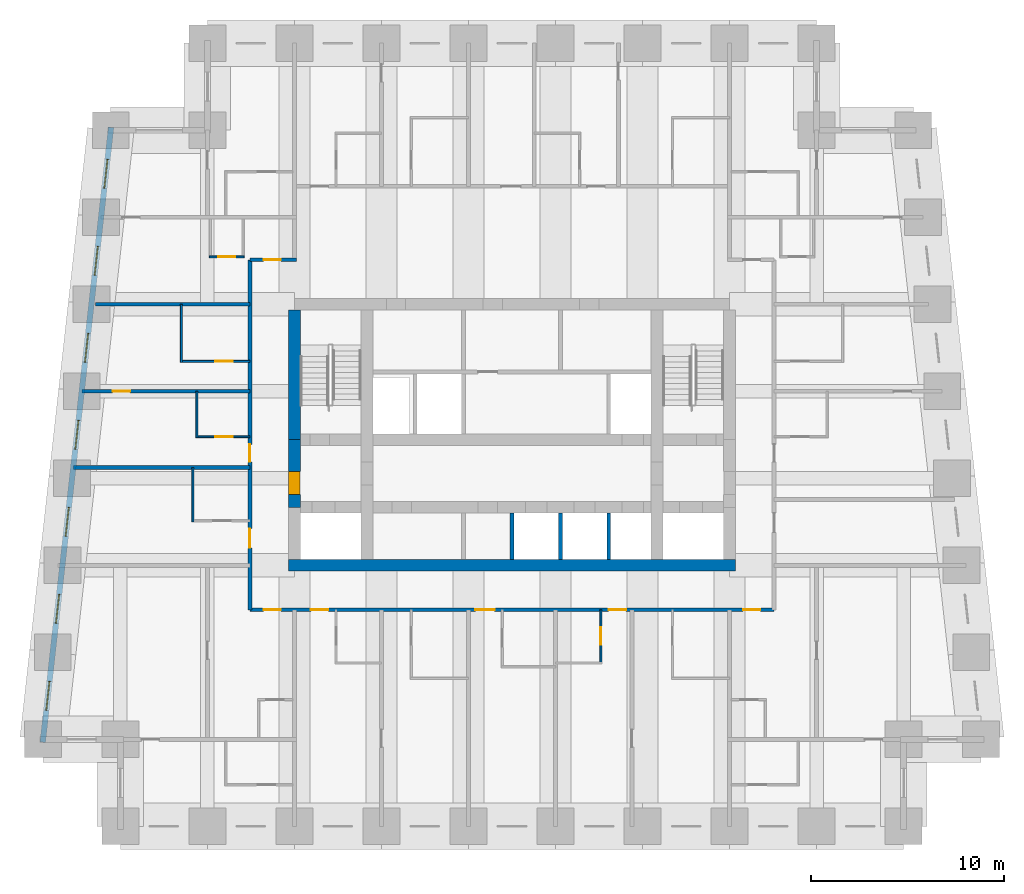
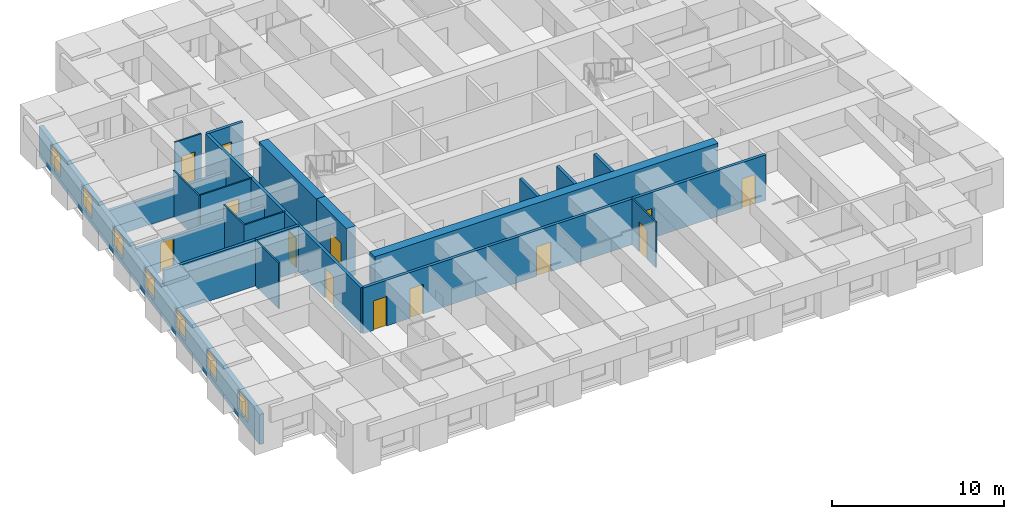
# One storey, part 3 of 8: 20 walls, 14 doors, 7 windows, 21 openings.
"""IFC4 building model written with IfcOpenShell, lengths in metres."""

from ifc_helpers import new_model, si_unit, direction, frame, frame_2d, origin, place, context, subcontext, project, spatial, rectangle, extrude, material, layer, layer_set, type_object, element, fill, save


model = new_model("IFC4")

# Units and contexts
model_context = context("Model", 3, precision=1e-05, world=origin(), true_north=direction((0.0, 1.0)))
body_context = subcontext(model_context, "Body", "Model", "MODEL_VIEW")
ifc_project = project(units=[si_unit("LENGTHUNIT", "METRE"), si_unit("AREAUNIT", "SQUARE_METRE"), si_unit("VOLUMEUNIT", "CUBIC_METRE"), si_unit("PLANEANGLEUNIT", "RADIAN"), si_unit("MASSUNIT", "GRAM", prefix="KILO")], contexts=[model_context])

# Site, building, storey
site_placement = place(None, origin())
site = spatial("IfcSite", under=ifc_project, at=site_placement, CompositionType="ELEMENT")
building_placement = place(site_placement, origin())
building = spatial("IfcBuilding", under=site, at=building_placement, Name="Kilele Tower Hotel", CompositionType="ELEMENT")
storey_placement = place(building_placement, frame((0.0, 0.0, 138.89990234375)))
storey = spatial("IfcBuildingStorey", under=building, at=storey_placement, Name="L36", CompositionType="ELEMENT", Elevation=138.89990234375)

# Wall, opening, door
ifc_material_1 = material(Name="Moisture-resistant board")
ifc_layer_1 = layer(ifc_material_1, 0.10009765625)
ifc_layer_set_1 = layer_set([ifc_layer_1], Name="Moisture-resistant board")
wall_type_1 = type_object("IfcWallType", Name="Bathroom partition 100", PredefinedType="PLUMBINGWALL", material=ifc_layer_set_1)
wall_1_placement = place(storey_placement, frame((29.35009765625, 11.199951171875, 0.0), z_axis=(0.0, 0.0, 1.0), x_axis=(0.0, -1.0, 0.0)))
wall_1 = element("IfcWall", 1, at=wall_1_placement, inside=storey, type_object=wall_type_1, Name="Bathroom partition 100 L36", PredefinedType="PLUMBINGWALL", context=body_context, shape_type="SweptSolid", body=[
    extrude(rectangle(XDim=2.800048828125, YDim=0.10009765625, at=frame_2d((1.39990234375, 0.0))), origin(), (0.0, 0.0, 1.0), 3.25),
])
opening_1_placement = place(wall_1_placement, frame((0.89990234375, 0.0, 0.0)))
opening_1 = element("IfcOpeningElement", 2, at=opening_1_placement, cuts=wall_1, Name="Opening D2A", PredefinedType="OPENING", context=body_context, shape_type="SweptSolid", body=[
    extrude(rectangle(XDim=0.89990234375, YDim=2.10009765625, at=frame_2d((0.449951171875, 1.050048828125))), frame((0.0, 0.06005859375, 0.0), z_axis=(0.0, -1.0, 0.0), x_axis=(1.0, 0.0, 0.0)), (0.0, 0.0, 1.0), 0.1201171875),
])
ifc_material_2 = material(Name="Timber door leaf in hardwood frame", Category="wood")
door_type_1 = type_object("IfcDoorType", Name="Bathroom door 900", OperationType="SINGLE_SWING_LEFT", PredefinedType="DOOR", material=ifc_material_2)
door_1_placement = place(opening_1_placement, origin())
door_1 = element("IfcDoor", 3, at=door_1_placement, inside=storey, type_object=door_type_1, Name="Bathroom door 3604B", OperationType="SINGLE_SWING_LEFT", OverallHeight=2.10009765625, OverallWidth=0.89990234375, PredefinedType="DOOR", context=body_context, shape_type="SweptSolid", body=[
    extrude(rectangle(XDim=0.89990234375, YDim=2.10009765625, at=frame_2d((0.449951171875, 1.050048828125))), frame((0.0, 0.02490234375, 0.0), z_axis=(0.0, -1.0, 0.0), x_axis=(1.0, 0.0, 0.0)), (0.0, 0.0, 1.0), 0.050048828125),
])
fill(opening_1, door_1)

# Walls
wall_2_placement = place(storey_placement, frame((8.25, 15.75, 0.0), z_axis=(0.0, 0.0, 1.0), x_axis=(0.0, 1.0, 0.0)))
element("IfcWall", 4, at=wall_2_placement, inside=storey, type_object=wall_type_1, Name="Bathroom partition 100 L36", PredefinedType="PLUMBINGWALL", context=body_context, shape_type="SweptSolid", body=[
    extrude(rectangle(XDim=2.800048828125, YDim=0.10009765625, at=frame_2d((1.39990234375, 0.0))), origin(), (0.0, 0.0, 1.0), 3.25),
])
wall_3_placement = place(storey_placement, frame((8.449951171875, 20.10009765625, 0.0), z_axis=(0.0, 0.0, 1.0), x_axis=(0.0, 1.0, 0.0)))
element("IfcWall", 5, at=wall_3_placement, inside=storey, type_object=wall_type_1, Name="Bathroom partition 100 L36", PredefinedType="PLUMBINGWALL", context=body_context, shape_type="SweptSolid", body=[
    extrude(rectangle(XDim=2.39990234375, YDim=0.10009765625, at=frame_2d((1.199951171875, 0.0))), origin(), (0.0, 0.0, 1.0), 3.25),
])

# Wall, opening, door
wall_4_placement = place(storey_placement, frame((11.199951171875, 20.14990234375, 0.0), z_axis=(0.0, 0.0, 1.0), x_axis=(-1.0, 0.0, 0.0)))
wall_4 = element("IfcWall", 6, at=wall_4_placement, inside=storey, type_object=wall_type_1, Name="Bathroom partition 100 L36", PredefinedType="PLUMBINGWALL", context=body_context, shape_type="SweptSolid", body=[
    extrude(rectangle(XDim=2.800048828125, YDim=0.10009765625, at=frame_2d((1.39990234375, 0.0))), origin(), (0.0, 0.0, 1.0), 3.25),
])
opening_2_placement = place(wall_4_placement, frame((0.89990234375, 0.0, 0.0)))
opening_2 = element("IfcOpeningElement", 7, at=opening_2_placement, cuts=wall_4, Name="Opening D2A", PredefinedType="OPENING", context=body_context, shape_type="SweptSolid", body=[
    extrude(rectangle(XDim=0.89990234375, YDim=2.10009765625, at=frame_2d((0.449951171875, 1.050048828125))), frame((0.0, 0.06005859375, 0.0), z_axis=(0.0, -1.0, 0.0), x_axis=(1.0, 0.0, 0.0)), (0.0, 0.0, 1.0), 0.1201171875),
])
door_2_placement = place(opening_2_placement, origin())
door_2 = element("IfcDoor", 8, at=door_2_placement, inside=storey, type_object=door_type_1, Name="Bathroom door 3615B", OperationType="SINGLE_SWING_LEFT", OverallHeight=2.10009765625, OverallWidth=0.89990234375, PredefinedType="DOOR", context=body_context, shape_type="SweptSolid", body=[
    extrude(rectangle(XDim=0.89990234375, YDim=2.10009765625, at=frame_2d((0.449951171875, 1.050048828125))), frame((0.0, 0.02490234375, 0.0), z_axis=(0.0, -1.0, 0.0), x_axis=(1.0, 0.0, 0.0)), (0.0, 0.0, 1.0), 0.050048828125),
])
fill(opening_2, door_2)

# Wall
wall_5_placement = place(storey_placement, frame((7.64990234375, 24.0, 0.0), z_axis=(0.0, 0.0, 1.0), x_axis=(0.0, 1.0, 0.0)))
element("IfcWall", 9, at=wall_5_placement, inside=storey, type_object=wall_type_1, Name="Bathroom partition 100 L36", PredefinedType="PLUMBINGWALL", context=body_context, shape_type="SweptSolid", body=[
    extrude(rectangle(XDim=3.0, YDim=0.10009765625, at=frame_2d((1.5, 0.0))), origin(), (0.0, 0.0, 1.0), 3.25),
])

# Wall, opening, door
wall_6_placement = place(storey_placement, frame((11.199951171875, 24.050048828125, 0.0), z_axis=(0.0, 0.0, 1.0), x_axis=(-1.0, 0.0, 0.0)))
wall_6 = element("IfcWall", 10, at=wall_6_placement, inside=storey, type_object=wall_type_1, Name="Bathroom partition 100 L36", PredefinedType="PLUMBINGWALL", context=body_context, shape_type="SweptSolid", body=[
    extrude(rectangle(XDim=3.599853515625, YDim=0.10009765625, at=frame_2d((1.7998046875, 0.0))), origin(), (0.0, 0.0, 1.0), 3.25),
])
opening_3_placement = place(wall_6_placement, frame((0.89990234375, 0.0, 0.0)))
opening_3 = element("IfcOpeningElement", 11, at=opening_3_placement, cuts=wall_6, Name="Opening D2A", PredefinedType="OPENING", context=body_context, shape_type="SweptSolid", body=[
    extrude(rectangle(XDim=0.89990234375, YDim=2.10009765625, at=frame_2d((0.449951171875, 1.050048828125))), frame((0.0, 0.06005859375, 0.0), z_axis=(0.0, -1.0, 0.0), x_axis=(1.0, 0.0, 0.0)), (0.0, 0.0, 1.0), 0.1201171875),
])
door_3_placement = place(opening_3_placement, origin())
door_3 = element("IfcDoor", 12, at=door_3_placement, inside=storey, type_object=door_type_1, Name="Bathroom door 3616B", OperationType="SINGLE_SWING_LEFT", OverallHeight=2.10009765625, OverallWidth=0.89990234375, PredefinedType="DOOR", context=body_context, shape_type="SweptSolid", body=[
    extrude(rectangle(XDim=0.89990234375, YDim=2.10009765625, at=frame_2d((0.449951171875, 1.050048828125))), frame((0.0, 0.02490234375, 0.0), z_axis=(0.0, -1.0, 0.0), x_axis=(1.0, 0.0, 0.0)), (0.0, 0.0, 1.0), 0.050048828125),
])
fill(opening_3, door_3)

wall_7_placement = place(storey_placement, frame((10.89990234375, 29.449951171875, 0.0), z_axis=(0.0, 0.0, 1.0), x_axis=(-1.0, 0.0, 0.0)))
wall_7 = element("IfcWall", 13, at=wall_7_placement, inside=storey, type_object=wall_type_1, Name="Bathroom partition 100 L36", PredefinedType="PLUMBINGWALL", context=body_context, shape_type="SweptSolid", body=[
    extrude(rectangle(XDim=1.7998046875, YDim=0.10009765625, at=frame_2d((0.89990234375, 0.0))), origin(), (0.0, 0.0, 1.0), 3.25),
])
opening_4_placement = place(wall_7_placement, frame((0.449951171875, 0.0, 0.0)))
opening_4 = element("IfcOpeningElement", 14, at=opening_4_placement, cuts=wall_7, Name="Opening D2A", PredefinedType="OPENING", context=body_context, shape_type="SweptSolid", body=[
    extrude(rectangle(XDim=0.89990234375, YDim=2.10009765625, at=frame_2d((0.449951171875, 1.050048828125))), frame((0.0, 0.06005859375, 0.0), z_axis=(0.0, -1.0, 0.0), x_axis=(1.0, 0.0, 0.0)), (0.0, 0.0, 1.0), 0.1201171875),
])
door_4_placement = place(opening_4_placement, origin())
door_4 = element("IfcDoor", 15, at=door_4_placement, inside=storey, type_object=door_type_1, Name="Bathroom door 3626P", OperationType="SINGLE_SWING_LEFT", OverallHeight=2.10009765625, OverallWidth=0.89990234375, PredefinedType="DOOR", context=body_context, shape_type="SweptSolid", body=[
    extrude(rectangle(XDim=0.89990234375, YDim=2.10009765625, at=frame_2d((0.449951171875, 1.050048828125))), frame((0.0, 0.02490234375, 0.0), z_axis=(0.0, -1.0, 0.0), x_axis=(1.0, 0.0, 0.0)), (0.0, 0.0, 1.0), 0.050048828125),
])
fill(opening_4, door_4)

# Walls
ifc_material_3 = material(Name="Concrete C60/75", Category="concrete")
ifc_layer_2 = layer(ifc_material_3, 0.60009765625)
ifc_layer_set_2 = layer_set([ifc_layer_2], Name="Concrete C60/75")
wall_type_2 = type_object("IfcWallType", Name="Core wall 600 C60/75", PredefinedType="SHEAR", material=ifc_layer_set_2)
wall_8_placement = place(storey_placement, frame((13.199951171875, 13.5, 0.0), z_axis=(0.0, 0.0, 1.0), x_axis=(1.0, 0.0, 0.0)))
element("IfcWall", 16, at=wall_8_placement, inside=storey, type_object=wall_type_2, Name="Core wall S L36", PredefinedType="SHEAR", context=body_context, shape_type="SweptSolid", body=[
    extrude(rectangle(XDim=23.10009765625, YDim=0.60009765625, at=frame_2d((11.550048828125, 0.0))), origin(), (0.0, 0.0, 1.0), 3.5),
])
wall_9_placement = place(storey_placement, frame((13.5, 26.699951171875, 0.0), z_axis=(0.0, 0.0, 1.0), x_axis=(0.0, -1.0, 0.0)))
element("IfcWall", 17, at=wall_9_placement, inside=storey, type_object=wall_type_2, Name="Core wall W1 L36", PredefinedType="SHEAR", context=body_context, shape_type="SweptSolid", body=[
    extrude(rectangle(XDim=6.699951171875, YDim=0.60009765625, at=frame_2d((3.35009765625, 0.0))), origin(), (0.0, 0.0, 1.0), 3.5),
])

# Wall, opening, door
wall_10_placement = place(storey_placement, frame((13.5, 20.0, 0.0), z_axis=(0.0, 0.0, 1.0), x_axis=(0.0, -1.0, 0.0)))
wall_10 = element("IfcWall", 18, at=wall_10_placement, inside=storey, type_object=wall_type_2, Name="Core wall W2 L36", PredefinedType="SHEAR", context=body_context, shape_type="SweptSolid", body=[
    extrude(rectangle(XDim=3.5, YDim=0.60009765625, at=frame_2d((1.75, 0.0))), origin(), (0.0, 0.0, 1.0), 3.5),
])
opening_5_placement = place(wall_10_placement, frame((1.64990234375, 0.0, 0.0)))
opening_5 = element("IfcOpeningElement", 19, at=opening_5_placement, cuts=wall_10, Name="Opening D4", PredefinedType="OPENING", context=body_context, shape_type="SweptSolid", body=[
    extrude(rectangle(XDim=1.199951171875, YDim=2.10009765625, at=frame_2d((0.60009765625, 1.050048828125))), frame((0.0, 0.31005859375, 0.0), z_axis=(0.0, -1.0, 0.0), x_axis=(1.0, 0.0, 0.0)), (0.0, 0.0, 1.0), 0.6201171875),
])
ifc_material_4 = material(Name="Timber door leaf in hardwood frame", Category="wood")
door_type_2 = type_object("IfcDoorType", Name="Firefighting lobby door 1200", OperationType="SINGLE_SWING_LEFT", PredefinedType="DOOR", material=ifc_material_4)
door_5_placement = place(opening_5_placement, origin())
door_5 = element("IfcDoor", 20, at=door_5_placement, inside=storey, type_object=door_type_2, Name="Lobby door L36", OperationType="SINGLE_SWING_RIGHT", OverallHeight=2.10009765625, OverallWidth=1.199951171875, PredefinedType="DOOR", context=body_context, shape_type="SweptSolid", body=[
    extrude(rectangle(XDim=1.199951171875, YDim=2.10009765625, at=frame_2d((0.60009765625, 1.050048828125))), frame((0.0, 0.2998046875, 0.0), z_axis=(0.0, -1.0, 0.0), x_axis=(1.0, 0.0, 0.0)), (0.0, 0.0, 1.0), 0.599609375),
])
fill(opening_5, door_5)

# Wall, openings, doors
ifc_material_5 = material(Name="Blockwork, plastered both sides", Category="masonry")
ifc_layer_3 = layer(ifc_material_5, 0.199951171875)
ifc_layer_set_3 = layer_set([ifc_layer_3], Name="Blockwork, plastered both sides")
wall_type_3 = type_object("IfcWallType", Name="Corridor wall 200", PredefinedType="PARTITIONING", material=ifc_layer_set_3)
wall_11_placement = place(storey_placement, frame((11.199951171875, 11.199951171875, 0.0), z_axis=(0.0, 0.0, 1.0), x_axis=(1.0, 0.0, 0.0)))
wall_11 = element("IfcWall", 21, at=wall_11_placement, inside=storey, type_object=wall_type_3, Name="Corridor wall 200 L36", PredefinedType="PARTITIONING", context=body_context, shape_type="SweptSolid", body=[
    extrude(rectangle(XDim=27.10009765625, YDim=0.199951171875, at=frame_2d((13.550048828125, 0.0))), origin(), (0.0, 0.0, 1.0), 3.25),
])
opening_6_placement = place(wall_11_placement, frame((4.0498046875, 0.0, 0.0), z_axis=(0.0, 0.0, 1.0), x_axis=(-1.0, 0.0, 0.0)))
opening_6 = element("IfcOpeningElement", 22, at=opening_6_placement, cuts=wall_11, Name="Opening D1", PredefinedType="OPENING", context=body_context, shape_type="SweptSolid", body=[
    extrude(rectangle(XDim=0.89990234375, YDim=2.10009765625, at=frame_2d((0.449951171875, 1.050048828125))), frame((0.0, 0.10986328125, 0.0), z_axis=(0.0, -1.0, 0.0), x_axis=(1.0, 0.0, 0.0)), (0.0, 0.0, 1.0), 0.219970703125),
])
opening_7_placement = place(wall_11_placement, frame((12.64990234375, 0.0, 0.0), z_axis=(0.0, 0.0, 1.0), x_axis=(-1.0, 0.0, 0.0)))
opening_7 = element("IfcOpeningElement", 23, at=opening_7_placement, cuts=wall_11, Name="Opening D1A", PredefinedType="OPENING", context=body_context, shape_type="SweptSolid", body=[
    extrude(rectangle(XDim=1.0, YDim=2.10009765625, at=frame_2d((0.5, 1.050048828125))), frame((0.0, 0.10986328125, 0.0), z_axis=(0.0, -1.0, 0.0), x_axis=(1.0, 0.0, 0.0)), (0.0, 0.0, 1.0), 0.219970703125),
])
opening_8_placement = place(wall_11_placement, frame((19.449951171875, 0.0, 0.0), z_axis=(0.0, 0.0, 1.0), x_axis=(-1.0, 0.0, 0.0)))
opening_8 = element("IfcOpeningElement", 24, at=opening_8_placement, cuts=wall_11, Name="Opening D1", PredefinedType="OPENING", context=body_context, shape_type="SweptSolid", body=[
    extrude(rectangle(XDim=0.89990234375, YDim=2.10009765625, at=frame_2d((0.449951171875, 1.050048828125))), frame((0.0, 0.10986328125, 0.0), z_axis=(0.0, -1.0, 0.0), x_axis=(1.0, 0.0, 0.0)), (0.0, 0.0, 1.0), 0.219970703125),
])
opening_9_placement = place(wall_11_placement, frame((1.599853515625, 0.0, 0.0), z_axis=(0.0, 0.0, 1.0), x_axis=(-1.0, 0.0, 0.0)))
opening_9 = element("IfcOpeningElement", 25, at=opening_9_placement, cuts=wall_11, Name="Opening D1", PredefinedType="OPENING", context=body_context, shape_type="SweptSolid", body=[
    extrude(rectangle(XDim=0.89990234375, YDim=2.10009765625, at=frame_2d((0.449951171875, 1.050048828125))), frame((0.0, 0.10986328125, 0.0), z_axis=(0.0, -1.0, 0.0), x_axis=(1.0, 0.0, 0.0)), (0.0, 0.0, 1.0), 0.219970703125),
])
opening_10_placement = place(wall_11_placement, frame((26.39990234375, 0.0, 0.0), z_axis=(0.0, 0.0, 1.0), x_axis=(-1.0, 0.0, 0.0)))
opening_10 = element("IfcOpeningElement", 26, at=opening_10_placement, cuts=wall_11, Name="Opening D1", PredefinedType="OPENING", context=body_context, shape_type="SweptSolid", body=[
    extrude(rectangle(XDim=0.89990234375, YDim=2.10009765625, at=frame_2d((0.449951171875, 1.050048828125))), frame((0.0, 0.10986328125, 0.0), z_axis=(0.0, -1.0, 0.0), x_axis=(1.0, 0.0, 0.0)), (0.0, 0.0, 1.0), 0.219970703125),
])
ifc_material_6 = material(Name="Timber door leaf in hardwood frame", Category="wood")
door_type_3 = type_object("IfcDoorType", Name="Guest room entrance door 1000", OperationType="SINGLE_SWING_LEFT", PredefinedType="DOOR", material=ifc_material_6)
door_6_placement = place(opening_7_placement, origin())
door_6 = element("IfcDoor", 27, at=door_6_placement, inside=storey, type_object=door_type_3, Name="Room entrance 3603", OperationType="SINGLE_SWING_RIGHT", OverallHeight=2.10009765625, OverallWidth=1.0, PredefinedType="DOOR", context=body_context, shape_type="SweptSolid", body=[
    extrude(rectangle(XDim=1.0, YDim=2.10009765625, at=frame_2d((0.5, 1.050048828125))), frame((0.0, 0.02490234375, 0.0), z_axis=(0.0, -1.0, 0.0), x_axis=(1.0, 0.0, 0.0)), (0.0, 0.0, 1.0), 0.050048828125),
])
fill(opening_7, door_6)
ifc_material_7 = material(Name="Timber door leaf in hardwood frame", Category="wood")
door_type_4 = type_object("IfcDoorType", Name="Guest room entrance door 900", OperationType="SINGLE_SWING_LEFT", PredefinedType="DOOR", material=ifc_material_7)
door_7_placement = place(opening_6_placement, origin())
door_7 = element("IfcDoor", 28, at=door_7_placement, inside=storey, type_object=door_type_4, Name="Room entrance 3601", OperationType="SINGLE_SWING_LEFT", OverallHeight=2.10009765625, OverallWidth=0.89990234375, PredefinedType="DOOR", context=body_context, shape_type="SweptSolid", body=[
    extrude(rectangle(XDim=0.89990234375, YDim=2.10009765625, at=frame_2d((0.449951171875, 1.050048828125))), frame((0.0, 0.02490234375, 0.0), z_axis=(0.0, -1.0, 0.0), x_axis=(1.0, 0.0, 0.0)), (0.0, 0.0, 1.0), 0.050048828125),
])
fill(opening_6, door_7)
door_8_placement = place(opening_8_placement, origin())
door_8 = element("IfcDoor", 29, at=door_8_placement, inside=storey, type_object=door_type_4, Name="Room entrance 3604", OperationType="SINGLE_SWING_LEFT", OverallHeight=2.10009765625, OverallWidth=0.89990234375, PredefinedType="DOOR", context=body_context, shape_type="SweptSolid", body=[
    extrude(rectangle(XDim=0.89990234375, YDim=2.10009765625, at=frame_2d((0.449951171875, 1.050048828125))), frame((0.0, 0.02490234375, 0.0), z_axis=(0.0, -1.0, 0.0), x_axis=(1.0, 0.0, 0.0)), (0.0, 0.0, 1.0), 0.050048828125),
])
fill(opening_8, door_8)
door_9_placement = place(opening_9_placement, origin())
door_9 = element("IfcDoor", 30, at=door_9_placement, inside=storey, type_object=door_type_4, Name="Room entrance 3617", OperationType="SINGLE_SWING_LEFT", OverallHeight=2.10009765625, OverallWidth=0.89990234375, PredefinedType="DOOR", context=body_context, shape_type="SweptSolid", body=[
    extrude(rectangle(XDim=0.89990234375, YDim=2.10009765625, at=frame_2d((0.449951171875, 1.050048828125))), frame((0.0, 0.02490234375, 0.0), z_axis=(0.0, -1.0, 0.0), x_axis=(1.0, 0.0, 0.0)), (0.0, 0.0, 1.0), 0.050048828125),
])
fill(opening_9, door_9)
door_10_placement = place(opening_10_placement, origin())
door_10 = element("IfcDoor", 31, at=door_10_placement, inside=storey, type_object=door_type_4, Name="Room entrance 3620", OperationType="SINGLE_SWING_RIGHT", OverallHeight=2.10009765625, OverallWidth=0.89990234375, PredefinedType="DOOR", context=body_context, shape_type="SweptSolid", body=[
    extrude(rectangle(XDim=0.89990234375, YDim=2.10009765625, at=frame_2d((0.449951171875, 1.050048828125))), frame((0.0, 0.02490234375, 0.0), z_axis=(0.0, -1.0, 0.0), x_axis=(1.0, 0.0, 0.0)), (0.0, 0.0, 1.0), 0.050048828125),
])
fill(opening_10, door_10)

# Wall, opening, door
wall_12_placement = place(storey_placement, frame((11.199951171875, 29.300048828125, 0.0), z_axis=(0.0, 0.0, 1.0), x_axis=(1.0, 0.0, 0.0)))
wall_12 = element("IfcWall", 32, at=wall_12_placement, inside=storey, type_object=wall_type_3, Name="Corridor wall 200 L36", PredefinedType="PARTITIONING", context=body_context, shape_type="SweptSolid", body=[
    extrude(rectangle(XDim=2.400146484375, YDim=0.199951171875, at=frame_2d((1.2001953125, 0.0))), origin(), (0.0, 0.0, 1.0), 3.25),
])
opening_11_placement = place(wall_12_placement, frame((0.699951171875, 0.0, 0.0)))
opening_11 = element("IfcOpeningElement", 33, at=opening_11_placement, cuts=wall_12, Name="Opening D1", PredefinedType="OPENING", context=body_context, shape_type="SweptSolid", body=[
    extrude(rectangle(XDim=0.89990234375, YDim=2.10009765625, at=frame_2d((0.449951171875, 1.050048828125))), frame((0.0, 0.10986328125, 0.0), z_axis=(0.0, -1.0, 0.0), x_axis=(1.0, 0.0, 0.0)), (0.0, 0.0, 1.0), 0.219970703125),
])
door_11_placement = place(opening_11_placement, origin())
door_11 = element("IfcDoor", 34, at=door_11_placement, inside=storey, type_object=door_type_4, Name="Room entrance 3626", OperationType="SINGLE_SWING_RIGHT", OverallHeight=2.10009765625, OverallWidth=0.89990234375, PredefinedType="DOOR", context=body_context, shape_type="SweptSolid", body=[
    extrude(rectangle(XDim=0.89990234375, YDim=2.10009765625, at=frame_2d((0.449951171875, 1.050048828125))), frame((0.0, 0.02490234375, 0.0), z_axis=(0.0, -1.0, 0.0), x_axis=(1.0, 0.0, 0.0)), (0.0, 0.0, 1.0), 0.050048828125),
])
fill(opening_11, door_11)

# Wall, openings, doors
wall_13_placement = place(storey_placement, frame((11.199951171875, 11.199951171875, 0.0), z_axis=(0.0, 0.0, 1.0), x_axis=(0.0, 1.0, 0.0)))
wall_13 = element("IfcWall", 35, at=wall_13_placement, inside=storey, type_object=wall_type_3, Name="Corridor wall 200 L36", PredefinedType="PARTITIONING", context=body_context, shape_type="SweptSolid", body=[
    extrude(rectangle(XDim=18.10009765625, YDim=0.199951171875, at=frame_2d((9.050048828125, 0.0))), origin(), (0.0, 0.0, 1.0), 3.25),
])
opening_12_placement = place(wall_13_placement, frame((3.199951171875, 0.0, 0.0)))
opening_12 = element("IfcOpeningElement", 36, at=opening_12_placement, cuts=wall_13, Name="Opening D8", PredefinedType="OPENING", context=body_context, shape_type="SweptSolid", body=[
    extrude(rectangle(XDim=1.0, YDim=2.10009765625, at=frame_2d((0.5, 1.050048828125))), frame((0.0, 0.10986328125, 0.0), z_axis=(0.0, -1.0, 0.0), x_axis=(1.0, 0.0, 0.0)), (0.0, 0.0, 1.0), 0.219970703125),
])
opening_13_placement = place(wall_13_placement, frame((7.64990234375, 0.0, 0.0)))
opening_13 = element("IfcOpeningElement", 37, at=opening_13_placement, cuts=wall_13, Name="Opening D1", PredefinedType="OPENING", context=body_context, shape_type="SweptSolid", body=[
    extrude(rectangle(XDim=0.89990234375, YDim=2.10009765625, at=frame_2d((0.449951171875, 1.050048828125))), frame((0.0, 0.10986328125, 0.0), z_axis=(0.0, -1.0, 0.0), x_axis=(1.0, 0.0, 0.0)), (0.0, 0.0, 1.0), 0.219970703125),
])
ifc_material_8 = material(Name="Timber door leaf in hardwood frame", Category="wood")
door_type_5 = type_object("IfcDoorType", Name="Door 1000", OperationType="SINGLE_SWING_LEFT", PredefinedType="DOOR", material=ifc_material_8)
door_12_placement = place(opening_12_placement, origin())
door_12 = element("IfcDoor", 38, at=door_12_placement, inside=storey, type_object=door_type_5, Name="Room entrance 3614", OperationType="SINGLE_SWING_RIGHT", OverallHeight=2.10009765625, OverallWidth=1.0, PredefinedType="DOOR", context=body_context, shape_type="SweptSolid", body=[
    extrude(rectangle(XDim=1.0, YDim=2.10009765625, at=frame_2d((0.5, 1.050048828125))), frame((0.0, 0.02490234375, 0.0), z_axis=(0.0, -1.0, 0.0), x_axis=(1.0, 0.0, 0.0)), (0.0, 0.0, 1.0), 0.050048828125),
])
fill(opening_12, door_12)
door_13_placement = place(opening_13_placement, origin())
door_13 = element("IfcDoor", 39, at=door_13_placement, inside=storey, type_object=door_type_4, Name="Room entrance 3615", OperationType="SINGLE_SWING_LEFT", OverallHeight=2.10009765625, OverallWidth=0.89990234375, PredefinedType="DOOR", context=body_context, shape_type="SweptSolid", body=[
    extrude(rectangle(XDim=0.89990234375, YDim=2.10009765625, at=frame_2d((0.449951171875, 1.050048828125))), frame((0.0, 0.02490234375, 0.0), z_axis=(0.0, -1.0, 0.0), x_axis=(1.0, 0.0, 0.0)), (0.0, 0.0, 1.0), 0.050048828125),
])
fill(opening_13, door_13)

# Wall
ifc_material_9 = material(Name="Blockwork, plastered both sides", Category="masonry")
ifc_layer_4 = layer(ifc_material_9, 0.199951171875)
ifc_layer_set_4 = layer_set([ifc_layer_4], Name="Blockwork, plastered both sides")
wall_type_4 = type_object("IfcWallType", Name="Party wall 200", PredefinedType="PARTITIONING", material=ifc_layer_set_4)
wall_14_placement = place(storey_placement, frame((11.199951171875, 18.550048828125, 0.0), z_axis=(0.0, 0.0, 1.0), x_axis=(-1.0, 0.0, 0.0)))
element("IfcWall", 40, at=wall_14_placement, inside=storey, type_object=wall_type_4, Name="Party wall 200 L36", PredefinedType="PARTITIONING", context=body_context, shape_type="SweptSolid", body=[
    extrude(rectangle(XDim=9.137939453125, YDim=0.199951171875, at=frame_2d((4.56884765625, 0.0))), origin(), (0.0, 0.0, 1.0), 3.25),
])

# Wall, opening, door
wall_15_placement = place(storey_placement, frame((11.199951171875, 22.5, 0.0), z_axis=(0.0, 0.0, 1.0), x_axis=(-1.0, 0.0, 0.0)))
wall_15 = element("IfcWall", 41, at=wall_15_placement, inside=storey, type_object=wall_type_4, Name="Party wall 200 L36", PredefinedType="PARTITIONING", context=body_context, shape_type="SweptSolid", body=[
    extrude(rectangle(XDim=8.698974609375, YDim=0.199951171875, at=frame_2d((4.349609375, 0.0))), origin(), (0.0, 0.0, 1.0), 2.25),
])
opening_14_placement = place(wall_15_placement, frame((7.099853515625, 0.0, 0.0), z_axis=(0.0, 0.0, 1.0), x_axis=(-1.0, 0.0, 0.0)))
opening_14 = element("IfcOpeningElement", 42, at=opening_14_placement, cuts=wall_15, Name="Opening D3", PredefinedType="OPENING", context=body_context, shape_type="SweptSolid", body=[
    extrude(rectangle(XDim=0.89990234375, YDim=2.10009765625, at=frame_2d((0.449951171875, 1.050048828125))), frame((0.0, 0.10986328125, 0.0), z_axis=(0.0, -1.0, 0.0), x_axis=(1.0, 0.0, 0.0)), (0.0, 0.0, 1.0), 0.219970703125),
])
ifc_material_10 = material(Name="Timber door leaf in hardwood frame", Category="wood")
door_type_6 = type_object("IfcDoorType", Name="Suite internal door 900", OperationType="SINGLE_SWING_LEFT", PredefinedType="DOOR", material=ifc_material_10)
door_14_placement = place(opening_14_placement, origin())
door_14 = element("IfcDoor", 43, at=door_14_placement, inside=storey, type_object=door_type_6, Name="Suite door 3616", OperationType="SINGLE_SWING_LEFT", OverallHeight=2.10009765625, OverallWidth=0.89990234375, PredefinedType="DOOR", context=body_context, shape_type="SweptSolid", body=[
    extrude(rectangle(XDim=0.89990234375, YDim=2.10009765625, at=frame_2d((0.449951171875, 1.050048828125))), frame((0.0, 0.02490234375, 0.0), z_axis=(0.0, -1.0, 0.0), x_axis=(1.0, 0.0, 0.0)), (0.0, 0.0, 1.0), 0.050048828125),
])
fill(opening_14, door_14)

# Wall
wall_16_placement = place(storey_placement, frame((11.199951171875, 27.0, 0.0), z_axis=(0.0, 0.0, 1.0), x_axis=(-1.0, 0.0, 0.0)))
element("IfcWall", 44, at=wall_16_placement, inside=storey, type_object=wall_type_4, Name="Party wall 200 L36", PredefinedType="PARTITIONING", context=body_context, shape_type="SweptSolid", body=[
    extrude(rectangle(XDim=7.976806640625, YDim=0.199951171875, at=frame_2d((3.98828125, 0.0))), origin(), (0.0, 0.0, 1.0), 1.9501953125),
])

# Wall, openings, windows
ifc_material_11 = material(Name="Concrete C40/50 precast", Category="concrete")
ifc_layer_5 = layer(ifc_material_11, 0.260009765625, Name="Precast backing", Category="LoadBearing")
ifc_material_12 = material(Name="Reconstituted stone finish", Category="masonry")
ifc_layer_6 = layer(ifc_material_12, 0.0400390625, Name="Face mix", Category="Finish")
ifc_layer_set_5 = layer_set([ifc_layer_5, ifc_layer_6], Name="Precast concrete C40/50, reconstituted stone finish")
wall_type_5 = type_object("IfcWallType", Name="Precast stone facade wall 300", PredefinedType="STANDARD", material=ifc_layer_set_5)
wall_17_placement = place(storey_placement, frame((4.0166015625, 36.149169921875, 0.0), z_axis=(0.0, 0.0, 1.0), x_axis=(-0.110433201132, -0.993883548555, 0.0)))
wall_17 = element("IfcWall", 45, at=wall_17_placement, inside=storey, type_object=wall_type_5, Name="Facade wall L36 edge 12", PredefinedType="STANDARD", context=body_context, shape_type="SweptSolid", body=[
    extrude(rectangle(XDim=31.994140625, YDim=0.300048828125, at=frame_2d((15.9970703125, 0.0))), origin(), (0.0, 0.0, 1.0), 2.150146484375),
])
opening_15_placement = place(wall_17_placement, frame((1.6640625, 0.0, 0.5)))
opening_15 = element("IfcOpeningElement", 46, at=opening_15_placement, cuts=wall_17, Name="Opening W2", PredefinedType="OPENING", context=body_context, shape_type="SweptSolid", body=[
    extrude(rectangle(XDim=1.5, YDim=1.5, at=frame_2d((0.75, 0.75))), frame((0.0, 0.159912109375, 0.0), z_axis=(0.0, -1.0, 0.0), x_axis=(1.0, 0.0, 0.0)), (0.0, 0.0, 1.0), 0.320068359375),
])
opening_16_placement = place(wall_17_placement, frame((6.19189453125, 0.0, 0.5)))
opening_16 = element("IfcOpeningElement", 47, at=opening_16_placement, cuts=wall_17, Name="Opening W2", PredefinedType="OPENING", context=body_context, shape_type="SweptSolid", body=[
    extrude(rectangle(XDim=1.5, YDim=1.5, at=frame_2d((0.75, 0.75))), frame((0.0, 0.159912109375, 0.0), z_axis=(0.0, -1.0, 0.0), x_axis=(1.0, 0.0, 0.0)), (0.0, 0.0, 1.0), 0.320068359375),
])
opening_17_placement = place(wall_17_placement, frame((10.718994140625, 0.0, 0.5)))
opening_17 = element("IfcOpeningElement", 48, at=opening_17_placement, cuts=wall_17, Name="Opening W2", PredefinedType="OPENING", context=body_context, shape_type="SweptSolid", body=[
    extrude(rectangle(XDim=1.5, YDim=1.5, at=frame_2d((0.75, 0.75))), frame((0.0, 0.159912109375, 0.0), z_axis=(0.0, -1.0, 0.0), x_axis=(1.0, 0.0, 0.0)), (0.0, 0.0, 1.0), 0.320068359375),
])
opening_18_placement = place(wall_17_placement, frame((15.2470703125, 0.0, 0.5)))
opening_18 = element("IfcOpeningElement", 49, at=opening_18_placement, cuts=wall_17, Name="Opening W2", PredefinedType="OPENING", context=body_context, shape_type="SweptSolid", body=[
    extrude(rectangle(XDim=1.5, YDim=1.5, at=frame_2d((0.75, 0.75))), frame((0.0, 0.159912109375, 0.0), z_axis=(0.0, -1.0, 0.0), x_axis=(1.0, 0.0, 0.0)), (0.0, 0.0, 1.0), 0.320068359375),
])
opening_19_placement = place(wall_17_placement, frame((19.77490234375, 0.0, 0.5)))
opening_19 = element("IfcOpeningElement", 50, at=opening_19_placement, cuts=wall_17, Name="Opening W2", PredefinedType="OPENING", context=body_context, shape_type="SweptSolid", body=[
    extrude(rectangle(XDim=1.5, YDim=1.5, at=frame_2d((0.75, 0.75))), frame((0.0, 0.159912109375, 0.0), z_axis=(0.0, -1.0, 0.0), x_axis=(1.0, 0.0, 0.0)), (0.0, 0.0, 1.0), 0.320068359375),
])
opening_20_placement = place(wall_17_placement, frame((24.302001953125, 0.0, 0.5)))
opening_20 = element("IfcOpeningElement", 51, at=opening_20_placement, cuts=wall_17, Name="Opening W2", PredefinedType="OPENING", context=body_context, shape_type="SweptSolid", body=[
    extrude(rectangle(XDim=1.5, YDim=1.5, at=frame_2d((0.75, 0.75))), frame((0.0, 0.159912109375, 0.0), z_axis=(0.0, -1.0, 0.0), x_axis=(1.0, 0.0, 0.0)), (0.0, 0.0, 1.0), 0.320068359375),
])
opening_21_placement = place(wall_17_placement, frame((28.830078125, 0.0, 0.5)))
opening_21 = element("IfcOpeningElement", 52, at=opening_21_placement, cuts=wall_17, Name="Opening W2", PredefinedType="OPENING", context=body_context, shape_type="SweptSolid", body=[
    extrude(rectangle(XDim=1.5, YDim=1.5, at=frame_2d((0.75, 0.75))), frame((0.0, 0.159912109375, 0.0), z_axis=(0.0, -1.0, 0.0), x_axis=(1.0, 0.0, 0.0)), (0.0, 0.0, 1.0), 0.320068359375),
])
ifc_material_13 = material(Name="Aluminium frame, clear double glazing", Category="aluminium")
window_type = type_object("IfcWindowType", Name="Window W2 1500 x 1500", PartitioningType="SINGLE_PANEL", PredefinedType="WINDOW", material=ifc_material_13)
window_1_placement = place(opening_15_placement, origin())
window_1 = element("IfcWindow", 53, at=window_1_placement, inside=storey, type_object=window_type, Name="Window L36", OverallHeight=1.5, OverallWidth=1.5, PartitioningType="SINGLE_PANEL", PredefinedType="WINDOW", context=body_context, shape_type="SweptSolid", body=[
    extrude(rectangle(XDim=1.5, YDim=1.5, at=frame_2d((0.75, 0.75))), frame((0.0, 0.030029296875, 0.0), z_axis=(0.0, -1.0, 0.0), x_axis=(1.0, 0.0, 0.0)), (0.0, 0.0, 1.0), 0.06005859375),
])
fill(opening_15, window_1)
window_2_placement = place(opening_16_placement, origin())
window_2 = element("IfcWindow", 54, at=window_2_placement, inside=storey, type_object=window_type, Name="Window L36", OverallHeight=1.5, OverallWidth=1.5, PartitioningType="SINGLE_PANEL", PredefinedType="WINDOW", context=body_context, shape_type="SweptSolid", body=[
    extrude(rectangle(XDim=1.5, YDim=1.5, at=frame_2d((0.75, 0.75))), frame((0.0, 0.030029296875, 0.0), z_axis=(0.0, -1.0, 0.0), x_axis=(1.0, 0.0, 0.0)), (0.0, 0.0, 1.0), 0.06005859375),
])
fill(opening_16, window_2)
window_3_placement = place(opening_17_placement, origin())
window_3 = element("IfcWindow", 55, at=window_3_placement, inside=storey, type_object=window_type, Name="Window L36", OverallHeight=1.5, OverallWidth=1.5, PartitioningType="SINGLE_PANEL", PredefinedType="WINDOW", context=body_context, shape_type="SweptSolid", body=[
    extrude(rectangle(XDim=1.5, YDim=1.5, at=frame_2d((0.75, 0.75))), frame((0.0, 0.030029296875, 0.0), z_axis=(0.0, -1.0, 0.0), x_axis=(1.0, 0.0, 0.0)), (0.0, 0.0, 1.0), 0.06005859375),
])
fill(opening_17, window_3)
window_4_placement = place(opening_18_placement, origin())
window_4 = element("IfcWindow", 56, at=window_4_placement, inside=storey, type_object=window_type, Name="Window L36", OverallHeight=1.5, OverallWidth=1.5, PartitioningType="SINGLE_PANEL", PredefinedType="WINDOW", context=body_context, shape_type="SweptSolid", body=[
    extrude(rectangle(XDim=1.5, YDim=1.5, at=frame_2d((0.75, 0.75))), frame((0.0, 0.030029296875, 0.0), z_axis=(0.0, -1.0, 0.0), x_axis=(1.0, 0.0, 0.0)), (0.0, 0.0, 1.0), 0.06005859375),
])
fill(opening_18, window_4)
window_5_placement = place(opening_19_placement, origin())
window_5 = element("IfcWindow", 57, at=window_5_placement, inside=storey, type_object=window_type, Name="Window L36", OverallHeight=1.5, OverallWidth=1.5, PartitioningType="SINGLE_PANEL", PredefinedType="WINDOW", context=body_context, shape_type="SweptSolid", body=[
    extrude(rectangle(XDim=1.5, YDim=1.5, at=frame_2d((0.75, 0.75))), frame((0.0, 0.030029296875, 0.0), z_axis=(0.0, -1.0, 0.0), x_axis=(1.0, 0.0, 0.0)), (0.0, 0.0, 1.0), 0.06005859375),
])
fill(opening_19, window_5)
window_6_placement = place(opening_20_placement, origin())
window_6 = element("IfcWindow", 58, at=window_6_placement, inside=storey, type_object=window_type, Name="Window L36", OverallHeight=1.5, OverallWidth=1.5, PartitioningType="SINGLE_PANEL", PredefinedType="WINDOW", context=body_context, shape_type="SweptSolid", body=[
    extrude(rectangle(XDim=1.5, YDim=1.5, at=frame_2d((0.75, 0.75))), frame((0.0, 0.030029296875, 0.0), z_axis=(0.0, -1.0, 0.0), x_axis=(1.0, 0.0, 0.0)), (0.0, 0.0, 1.0), 0.06005859375),
])
fill(opening_20, window_6)
window_7_placement = place(opening_21_placement, origin())
window_7 = element("IfcWindow", 59, at=window_7_placement, inside=storey, type_object=window_type, Name="Window L36", OverallHeight=1.5, OverallWidth=1.5, PartitioningType="SINGLE_PANEL", PredefinedType="WINDOW", context=body_context, shape_type="SweptSolid", body=[
    extrude(rectangle(XDim=1.5, YDim=1.5, at=frame_2d((0.75, 0.75))), frame((0.0, 0.030029296875, 0.0), z_axis=(0.0, -1.0, 0.0), x_axis=(1.0, 0.0, 0.0)), (0.0, 0.0, 1.0), 0.06005859375),
])
fill(opening_21, window_7)

# Walls
ifc_material_14 = material(Name="Blockwork, fire-rated", Category="masonry")
ifc_layer_7 = layer(ifc_material_14, 0.199951171875)
ifc_layer_set_6 = layer_set([ifc_layer_7], Name="Blockwork, fire-rated")
wall_type_6 = type_object("IfcWallType", Name="Shaft wall 200", PredefinedType="PARTITIONING", material=ifc_layer_set_6)
for number, where, z_axis, x_axis, name in (
    (60, (24.75, 13.800048828125, 0.0), (0.0, 0.0, 1.0), (0.0, 1.0, 0.0), "Shaft wall 200 L36"),
    (61, (27.25, 13.800048828125, 0.0), (0.0, 0.0, 1.0), (0.0, 1.0, 0.0), "Shaft wall 200 L36"),
    (62, (29.75, 13.800048828125, 0.0), (0.0, 0.0, 1.0), (0.0, 1.0, 0.0), "Shaft wall 200 L36"),
):
    element("IfcWall", number, at=place(storey_placement, frame(where, z_axis=z_axis, x_axis=x_axis)), inside=storey, type_object=wall_type_6, Name=name, PredefinedType="PARTITIONING", context=body_context, shape_type="SweptSolid", body=[
        extrude(rectangle(XDim=2.39990234375, YDim=0.199951171875, at=frame_2d((1.199951171875, 0.0))), origin(), (0.0, 0.0, 1.0), 3.25),
    ])

save(model, "model.ifc")
